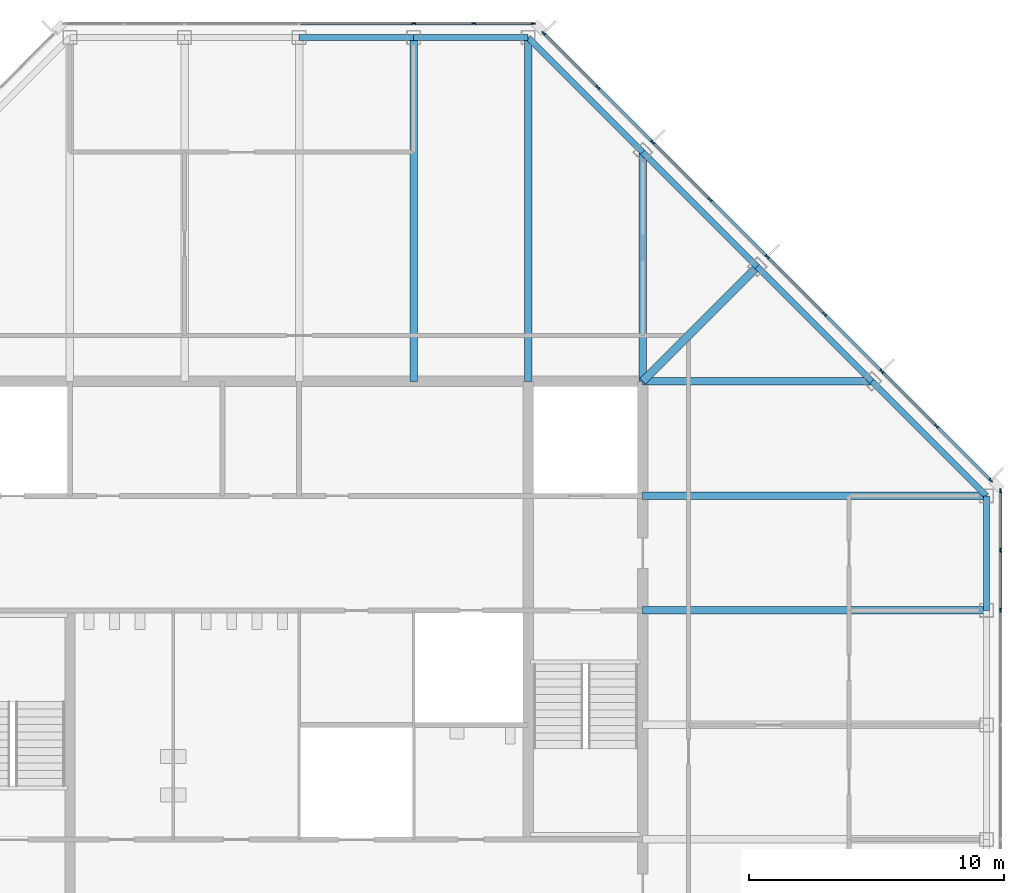
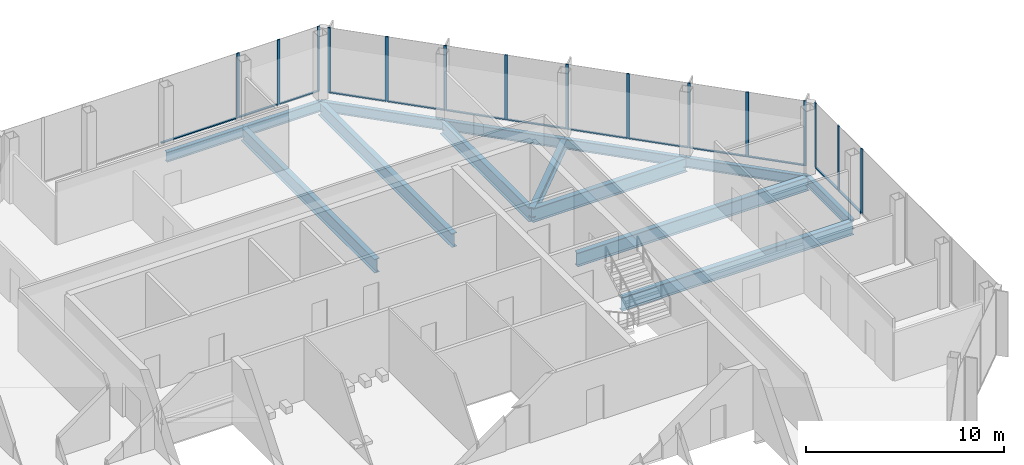
# One storey, part 7 of 14: 28 members, 14 beams, 3 elements without a shape of their own.
"""IFC4 building model written with IfcOpenShell, lengths in metres."""

import ifcopenshell
import ifcopenshell.guid

model = None  # the IFC model being written
_history = None  # IfcOwnerHistory: only IFC2X3 demands one
_inside = {}  # id of a spatial element -> (the spatial element, [elements in it])
_under = {}  # id of a project, library or spatial element -> (it, [spatial elements below it])
_declared = {}  # id of a project -> (the project, [libraries it declares])
_typed = {}  # id of a type object -> (the type object, [elements of that type])
_made_of = {}  # id of a material, layer set ... -> (it, [elements and type objects made of it])


def new_model(schema):
    """Start an empty IFC model of exactly this schema.

    Asked for "IFC4X3", IfcOpenShell would pick the latest addendum, in which some entities
    have other attributes; the version numbers below select the first issue.
    IFC2X3 requires an IfcOwnerHistory on every rooted entity: one is made here for all.
    """
    global model, _history
    if schema == "IFC4X3":
        model = ifcopenshell.file(schema_version=(4, 3, 0, 0))
    else:
        model = ifcopenshell.file(schema=schema)
    _inside.clear()
    _under.clear()
    _declared.clear()
    _typed.clear()
    _made_of.clear()
    _history = None
    if model.schema == "IFC2X3":
        org = make("IfcOrganization", Name="unknown")
        user = make(
            "IfcPersonAndOrganization",
            ThePerson=make("IfcPerson", FamilyName="unknown"),
            TheOrganization=org,
        )
        app = make(
            "IfcApplication",
            ApplicationDeveloper=org,
            Version="unknown",
            ApplicationFullName="unknown",
            ApplicationIdentifier="unknown",
        )
        _history = make(
            "IfcOwnerHistory",
            OwningUser=user,
            OwningApplication=app,
            ChangeAction="ADDED",
            CreationDate=0,
        )
    return model


def make(cls, **values):
    """One entity of the class cls with the attributes given. An attribute that is None is left unset."""
    return model.create_entity(
        cls, **{name: value for name, value in values.items() if value is not None}
    )


def rooted(cls, **values):
    """An entity with a GlobalId (a new one), such as an element, a storey or a relation."""
    return make(cls, GlobalId=ifcopenshell.guid.new(), OwnerHistory=_history, **values)


def si_unit(unit_type, name, prefix=None):
    """IfcSIUnit, for example si_unit("LENGTHUNIT", "METRE", prefix="MILLI")."""
    return make("IfcSIUnit", UnitType=unit_type, Prefix=prefix, Name=name)


def assignment(units):
    """IfcUnitAssignment: the units of a project."""
    return None if units is None else make("IfcUnitAssignment", Units=units)


def point(xyz):
    """IfcCartesianPoint."""
    return None if xyz is None else make("IfcCartesianPoint", Coordinates=xyz)


def direction(xyz):
    """IfcDirection."""
    return None if xyz is None else make("IfcDirection", DirectionRatios=xyz)


def frame(location, z_axis=None, x_axis=None):
    """IfcAxis2Placement3D, a coordinate frame: its origin and axes. An axis left out is left unset."""
    return make(
        "IfcAxis2Placement3D",
        Location=point(location),
        Axis=direction(z_axis),
        RefDirection=direction(x_axis),
    )


def frame_2d(location, x_axis=None):
    """IfcAxis2Placement2D, a coordinate frame in the plane: its origin and x axis."""
    return make(
        "IfcAxis2Placement2D", Location=point(location), RefDirection=direction(x_axis)
    )


def origin():
    """The frame at (0, 0, 0) with its axes left unset."""
    return frame((0.0, 0.0, 0.0))


def origin_2d():
    """The frame at (0, 0) in the plane with its x axis left unset."""
    return frame_2d((0.0, 0.0))


def place(relative_to, where):
    """IfcLocalPlacement: puts the frame where relative to a parent placement (None: the world)."""
    return make(
        "IfcLocalPlacement", PlacementRelTo=relative_to, RelativePlacement=where
    )


def context(
    kind, dimensions, precision=None, world=None, true_north=None, identifier=None
):
    """IfcGeometricRepresentationContext, for example the 3D "Model" context."""
    return make(
        "IfcGeometricRepresentationContext",
        ContextIdentifier=identifier,
        ContextType=kind,
        CoordinateSpaceDimension=dimensions,
        Precision=precision,
        WorldCoordinateSystem=world,
        TrueNorth=true_north,
    )


def subcontext(parent, identifier, kind, view, scale=None):
    """IfcGeometricRepresentationSubContext, for example "Body" below "Model"."""
    return make(
        "IfcGeometricRepresentationSubContext",
        ContextIdentifier=identifier,
        ContextType=kind,
        ParentContext=parent,
        TargetScale=scale,
        TargetView=view,
    )


def project(units=None, contexts=None):
    """IfcProject with its units and contexts."""
    return rooted(
        "IfcProject",
        Name="project",
        RepresentationContexts=contexts,
        UnitsInContext=assignment(units),
    )


def spatial(cls, under=None, at=None, **own):
    """A site, building, storey or space (cls), placed at a placement, below another one or the project."""
    s = rooted(cls, ObjectPlacement=at, **own)
    if under is not None:
        _under.setdefault(under.id(), (under, []))[1].append(s)
    return s


def profile(cls, at=None, kind="AREA", **sizes):
    """A parametric profile (cls). Its sizes go by their IFC names, for example OverallWidth=200.0."""
    return make(cls, ProfileType=kind, Position=at, **sizes)


def rectangle(**sizes):
    """IfcRectangleProfileDef."""
    return profile("IfcRectangleProfileDef", **sizes)


def i_section(**sizes):
    """IfcIShapeProfileDef."""
    return profile("IfcIShapeProfileDef", **sizes)


def extrude(swept, where, along, depth):
    """IfcExtrudedAreaSolid: the profile swept, set in the frame where, extruded along a direction by depth."""
    return make(
        "IfcExtrudedAreaSolid",
        SweptArea=swept,
        Position=where,
        ExtrudedDirection=direction(along),
        Depth=depth,
    )


def shape(context_of_items, identifier, shape_type, items):
    """IfcShapeRepresentation: the items that make up one representation, for example the "Body"."""
    return make(
        "IfcShapeRepresentation",
        ContextOfItems=context_of_items,
        RepresentationIdentifier=identifier,
        RepresentationType=shape_type,
        Items=items,
    )


def material(Name=None, Category=None):
    """IfcMaterial."""
    return make("IfcMaterial", Name=Name, Category=Category)


def material_profile(
    of_material, cross_section, Name=None, Category=None, Priority=None
):
    """IfcMaterialProfile: a cross section and its material."""
    return make(
        "IfcMaterialProfile",
        Name=Name,
        Material=of_material,
        Profile=cross_section,
        Priority=Priority,
        Category=Category,
    )


def profile_set(profiles, Name=None, composite=None):
    """IfcMaterialProfileSet."""
    return make(
        "IfcMaterialProfileSet",
        Name=Name,
        MaterialProfiles=profiles,
        CompositeProfile=composite,
    )


def made_of(thing, what):
    """Note that an element or type object is made of a material, layer set ...; save() writes the relation."""
    if what is not None:
        _made_of.setdefault(what.id(), (what, []))[1].append(thing)
    return thing


def type_object(cls, material=None, **own):
    """A type object (cls), such as IfcWallType, which elements share."""
    return made_of(rooted(cls, **own), material)


def element(
    cls,
    number,
    at=None,
    inside=None,
    cuts=None,
    type_object=None,
    material=None,
    context=None,
    identifier="Body",
    shape_type=None,
    held_by="IfcProductDefinitionShape",
    body=None,
    shapes=None,
    **own,
):
    """One element of the class cls, such as IfcWall. Its Tag is "e" and its number.

    at: its placement. inside: the storey or other place that contains it. cuts: it is an
    opening in that element (IfcRelVoidsElement). A single representation is given by context,
    identifier, shape_type and body (its items); several are given by shapes. held_by: the class
    of the entity that holds the representations. save() writes the other relations.
    """
    e = rooted(cls, Tag="e%d" % number, ObjectPlacement=at, **own)
    if body is not None:
        shapes = [shape(context, identifier, shape_type, body)]
    if shapes is not None:
        e.Representation = make(held_by, Representations=shapes)
    if inside is not None:
        _inside.setdefault(inside.id(), (inside, []))[1].append(e)
    if cuts is not None:
        rooted(
            "IfcRelVoidsElement", RelatingBuildingElement=cuts, RelatedOpeningElement=e
        )
    if type_object is not None:
        _typed.setdefault(type_object.id(), (type_object, []))[1].append(e)
    return made_of(e, material)


def aggregate(whole, parts):
    """IfcRelAggregates: a whole, such as a stair, and the parts it consists of."""
    return rooted("IfcRelAggregates", RelatingObject=whole, RelatedObjects=parts)


def save(model, path):
    """Write the relations noted so far, then the file.

    IfcRelAggregates (storeys below a building ...), IfcRelContainedInSpatialStructure (elements
    in a storey), IfcRelDefinesByType, IfcRelAssociatesMaterial and IfcRelDeclares: one each for
    every whole, place, type object, material and project.
    """
    for whole, parts in _under.values():
        aggregate(whole, parts)
    for where, things in _inside.values():
        rooted(
            "IfcRelContainedInSpatialStructure",
            RelatedElements=things,
            RelatingStructure=where,
        )
    for kind, things in _typed.values():
        rooted("IfcRelDefinesByType", RelatedObjects=things, RelatingType=kind)
    for what, things in _made_of.values():
        rooted("IfcRelAssociatesMaterial", RelatedObjects=things, RelatingMaterial=what)
    for by, libraries in _declared.values():
        rooted("IfcRelDeclares", RelatingContext=by, RelatedDefinitions=libraries)
    model.write(path)


model = new_model("IFC4")

# Units and contexts
model_context = context("Model", 3, precision=1e-05, world=origin(), true_north=direction((0.0, 1.0)))
body_context = subcontext(model_context, "Body", "Model", "MODEL_VIEW")
ifc_project = project(units=[si_unit("LENGTHUNIT", "METRE"), si_unit("AREAUNIT", "SQUARE_METRE"), si_unit("VOLUMEUNIT", "CUBIC_METRE"), si_unit("PLANEANGLEUNIT", "RADIAN"), si_unit("MASSUNIT", "GRAM", prefix="KILO")], contexts=[model_context])

# Site, building, storey
site_placement = place(None, origin())
site = spatial("IfcSite", under=ifc_project, at=site_placement, CompositionType="ELEMENT")
building_placement = place(site_placement, origin())
building = spatial("IfcBuilding", under=site, at=building_placement, Name="Corais Broadcast Tower", CompositionType="ELEMENT")
storey_placement = place(building_placement, frame((0.0, 0.0, 294.60009765625)))
storey = spatial("IfcBuildingStorey", under=building, at=storey_placement, Name="L69", CompositionType="ELEMENT", Elevation=294.60009765625)

# Beams
ifc_material_1 = material(Name="Steel ASTM A572 Grade 50", Category="steel")
ifc_material_profile_1 = material_profile(ifc_material_1, i_section(OverallWidth=0.323974609375, OverallDepth=0.611083984375, WebThickness=0.0126953125, FlangeThickness=0.01904296875, at=origin_2d()), Name="W610x155")
ifc_profile_set_1 = profile_set([ifc_material_profile_1], Name="Steel ASTM A572 Grade 50")
beam_type_1 = type_object("IfcBeamType", Name="Corner diagonal W610x155", PredefinedType="BEAM", material=ifc_profile_set_1)
beam_1_placement = place(storey_placement, frame((45.0, 45.0, -0.465576171875), z_axis=(-0.707106781187, -0.707106781187, 0.0), x_axis=(0.707106781187, -0.707106781187, 0.0)))
element("IfcBeam", 1, at=beam_1_placement, inside=storey, type_object=beam_type_1, Name="B6 L/13 to K/12", PredefinedType="BEAM", context=body_context, shape_type="SweptSolid", body=[
    extrude(i_section(OverallWidth=0.323974609375, OverallDepth=0.611083984375, WebThickness=0.0126953125, FlangeThickness=0.01904296875, at=origin_2d()), origin(), (0.0, 0.0, 1.0), 6.364013671875),
])
ifc_material_2 = material(Name="Steel ASTM A572 Grade 50", Category="steel")
ifc_material_profile_2 = material_profile(ifc_material_2, i_section(OverallWidth=0.2939453125, OverallDepth=0.85107421875, WebThickness=0.01611328125, FlangeThickness=0.02685546875, at=origin_2d()), Name="W840x226")
ifc_profile_set_2 = profile_set([ifc_material_profile_2], Name="Steel ASTM A572 Grade 50")
beam_type_2 = type_object("IfcBeamType", Name="Floor beam W840x226", PredefinedType="BEAM", material=ifc_profile_set_2)
for number, where, z_axis, x_axis, name in (
    (2, (31.5, 54.0, -0.585693359375), (0.0, -1.0, 0.0), (1.0, 0.0, 0.0), "B1 N/10 to K/10"),
    (3, (36.0, 54.0, -0.585693359375), (0.0, -1.0, 0.0), (1.0, 0.0, 0.0), "B1 N/11 to K/11"),
):
    element("IfcBeam", number, at=place(storey_placement, frame(where, z_axis=z_axis, x_axis=x_axis)), inside=storey, type_object=beam_type_2, Name=name, PredefinedType="BEAM", context=body_context, shape_type="SweptSolid", body=[
        extrude(i_section(OverallWidth=0.2939453125, OverallDepth=0.85107421875, WebThickness=0.01611328125, FlangeThickness=0.02685546875, at=origin_2d()), origin(), (0.0, 0.0, 1.0), 13.5),
    ])
for number, where, z_axis, x_axis, name in (
    (4, (40.5, 49.5, -0.585693359375), (0.0, -1.0, 0.0), (1.0, 0.0, 0.0), "B1 M/12 to K/12"),
    (5, (49.5, 40.5, -0.585693359375), (-1.0, 0.0, 0.0), (0.0, -1.0, 0.0), "B1 K/14 to K/12"),
):
    element("IfcBeam", number, at=place(storey_placement, frame(where, z_axis=z_axis, x_axis=x_axis)), inside=storey, type_object=beam_type_2, Name=name, PredefinedType="BEAM", context=body_context, shape_type="SweptSolid", body=[
        extrude(i_section(OverallWidth=0.2939453125, OverallDepth=0.85107421875, WebThickness=0.01611328125, FlangeThickness=0.02685546875, at=origin_2d()), origin(), (0.0, 0.0, 1.0), 9.0),
    ])
for number, where, z_axis, x_axis, name in (
    (6, (54.0, 31.5, -0.585693359375), (-1.0, 0.0, 0.0), (0.0, -1.0, 0.0), "B1 H/15 to H/12"),
    (7, (54.0, 36.0, -0.585693359375), (-1.0, 0.0, 0.0), (0.0, -1.0, 0.0), "B1 J/15 to J/12"),
):
    element("IfcBeam", number, at=place(storey_placement, frame(where, z_axis=z_axis, x_axis=x_axis)), inside=storey, type_object=beam_type_2, Name=name, PredefinedType="BEAM", context=body_context, shape_type="SweptSolid", body=[
        extrude(i_section(OverallWidth=0.2939453125, OverallDepth=0.85107421875, WebThickness=0.01611328125, FlangeThickness=0.02685546875, at=origin_2d()), origin(), (0.0, 0.0, 1.0), 13.5),
    ])

# Curtain wall, members
ifc_material_3 = material(Name="Aluminium and glass", Category="aluminium")
curtain_wall_type = type_object("IfcCurtainWallType", Name="Unitised fritted curtain wall CW3", PredefinedType="NOTDEFINED", material=ifc_material_3)
curtain_wall_1_placement = place(storey_placement, origin())
curtain_wall_1 = element("IfcCurtainWall", 8, at=curtain_wall_1_placement, inside=storey, type_object=curtain_wall_type, Name="CW3 curtain wall L69 4", PredefinedType="NOTDEFINED")
ifc_material_4 = material(Name="Aluminium 6063-T6", Category="aluminium")
ifc_material_profile_3 = material_profile(ifc_material_4, rectangle(XDim=0.06494140625, YDim=0.159912109375, at=origin_2d()), Name="Mullion CW3 65x160")
ifc_profile_set_3 = profile_set([ifc_material_profile_3], Name="Aluminium 6063-T6")
member_type_1 = type_object("IfcMemberType", Name="Mullion CW3 65x160", PredefinedType="MULLION", material=ifc_profile_set_3)
member_1_placement = place(storey_placement, frame((31.5, 54.550048828125, 0.0), z_axis=(0.0, 0.0, 1.0), x_axis=(0.0, 1.0, 0.0)))
member_1 = element("IfcMember", 9, at=member_1_placement, type_object=member_type_1, Name="CW3 mullion 5", PredefinedType="MULLION", context=body_context, shape_type="SweptSolid", body=[
    extrude(rectangle(XDim=0.06494140625, YDim=0.159912109375, at=origin_2d()), origin(), (0.0, 0.0, 1.0), 4.0),
])
member_2_placement = place(storey_placement, frame((33.864013671875, 54.550048828125, 0.0), z_axis=(0.0, 0.0, 1.0), x_axis=(0.0, 1.0, 0.0)))
member_2 = element("IfcMember", 10, at=member_2_placement, type_object=member_type_1, Name="CW3 mullion 6", PredefinedType="MULLION", context=body_context, shape_type="SweptSolid", body=[
    extrude(rectangle(XDim=0.06494140625, YDim=0.159912109375, at=origin_2d()), origin(), (0.0, 0.0, 1.0), 4.0),
])
member_3_placement = place(storey_placement, frame((36.1953125, 54.550048828125, 0.0), z_axis=(0.0, 0.0, 1.0), x_axis=(0.0, 1.0, 0.0)))
member_3 = element("IfcMember", 11, at=member_3_placement, type_object=member_type_1, Name="CW3 mullion 7", PredefinedType="MULLION", context=body_context, shape_type="SweptSolid", body=[
    extrude(rectangle(XDim=0.06494140625, YDim=0.159912109375, at=origin_2d()), origin(), (0.0, 0.0, 1.0), 4.0),
])

curtain_wall_2_placement = place(storey_placement, origin())
curtain_wall_2 = element("IfcCurtainWall", 12, at=curtain_wall_2_placement, inside=storey, type_object=curtain_wall_type, Name="CW3 curtain wall L69 5", PredefinedType="NOTDEFINED")
member_4_placement = place(storey_placement, frame((36.6044921875, 54.17333984375, 0.0), z_axis=(0.0, 0.0, 1.0), x_axis=(0.707106781187, 0.707106781187, 0.0)))
member_4 = element("IfcMember", 13, at=member_4_placement, type_object=member_type_1, Name="CW3 mullion 1", PredefinedType="MULLION", context=body_context, shape_type="SweptSolid", body=[
    extrude(rectangle(XDim=0.06494140625, YDim=0.159912109375, at=origin_2d()), origin(), (0.0, 0.0, 1.0), 4.0),
])
member_5_placement = place(storey_placement, frame((38.735107421875, 52.042724609375, 0.0), z_axis=(0.0, 0.0, 1.0), x_axis=(0.707106781187, 0.707106781187, 0.0)))
member_5 = element("IfcMember", 14, at=member_5_placement, type_object=member_type_1, Name="CW3 mullion 2", PredefinedType="MULLION", context=body_context, shape_type="SweptSolid", body=[
    extrude(rectangle(XDim=0.06494140625, YDim=0.159912109375, at=origin_2d()), origin(), (0.0, 0.0, 1.0), 4.0),
])
member_6_placement = place(storey_placement, frame((40.888916015625, 49.888916015625, 0.0), z_axis=(0.0, 0.0, 1.0), x_axis=(0.707106781187, 0.707106781187, 0.0)))
member_6 = element("IfcMember", 15, at=member_6_placement, type_object=member_type_1, Name="CW3 mullion 3", PredefinedType="MULLION", context=body_context, shape_type="SweptSolid", body=[
    extrude(rectangle(XDim=0.06494140625, YDim=0.159912109375, at=origin_2d()), origin(), (0.0, 0.0, 1.0), 4.0),
])
member_7_placement = place(storey_placement, frame((43.138916015625, 47.638916015625, 0.0), z_axis=(0.0, 0.0, 1.0), x_axis=(0.707106781187, 0.707106781187, 0.0)))
member_7 = element("IfcMember", 16, at=member_7_placement, type_object=member_type_1, Name="CW3 mullion 4", PredefinedType="MULLION", context=body_context, shape_type="SweptSolid", body=[
    extrude(rectangle(XDim=0.06494140625, YDim=0.159912109375, at=origin_2d()), origin(), (0.0, 0.0, 1.0), 4.0),
])
member_8_placement = place(storey_placement, frame((45.388916015625, 45.388916015625, 0.0), z_axis=(0.0, 0.0, 1.0), x_axis=(0.707106781187, 0.707106781187, 0.0)))
member_8 = element("IfcMember", 17, at=member_8_placement, type_object=member_type_1, Name="CW3 mullion 5", PredefinedType="MULLION", context=body_context, shape_type="SweptSolid", body=[
    extrude(rectangle(XDim=0.06494140625, YDim=0.159912109375, at=origin_2d()), origin(), (0.0, 0.0, 1.0), 4.0),
])
member_9_placement = place(storey_placement, frame((47.638916015625, 43.138916015625, 0.0), z_axis=(0.0, 0.0, 1.0), x_axis=(0.707106781187, 0.707106781187, 0.0)))
member_9 = element("IfcMember", 18, at=member_9_placement, type_object=member_type_1, Name="CW3 mullion 6", PredefinedType="MULLION", context=body_context, shape_type="SweptSolid", body=[
    extrude(rectangle(XDim=0.06494140625, YDim=0.159912109375, at=origin_2d()), origin(), (0.0, 0.0, 1.0), 4.0),
])
member_10_placement = place(storey_placement, frame((49.888916015625, 40.888916015625, 0.0), z_axis=(0.0, 0.0, 1.0), x_axis=(0.707106781187, 0.707106781187, 0.0)))
member_10 = element("IfcMember", 19, at=member_10_placement, type_object=member_type_1, Name="CW3 mullion 7", PredefinedType="MULLION", context=body_context, shape_type="SweptSolid", body=[
    extrude(rectangle(XDim=0.06494140625, YDim=0.159912109375, at=origin_2d()), origin(), (0.0, 0.0, 1.0), 4.0),
])
member_11_placement = place(storey_placement, frame((52.042724609375, 38.735107421875, 0.0), z_axis=(0.0, 0.0, 1.0), x_axis=(0.707106781187, 0.707106781187, 0.0)))
member_11 = element("IfcMember", 20, at=member_11_placement, type_object=member_type_1, Name="CW3 mullion 8", PredefinedType="MULLION", context=body_context, shape_type="SweptSolid", body=[
    extrude(rectangle(XDim=0.06494140625, YDim=0.159912109375, at=origin_2d()), origin(), (0.0, 0.0, 1.0), 4.0),
])
member_12_placement = place(storey_placement, frame((54.17333984375, 36.6044921875, 0.0), z_axis=(0.0, 0.0, 1.0), x_axis=(0.707106781187, 0.707106781187, 0.0)))
member_12 = element("IfcMember", 21, at=member_12_placement, type_object=member_type_1, Name="CW3 mullion 9", PredefinedType="MULLION", context=body_context, shape_type="SweptSolid", body=[
    extrude(rectangle(XDim=0.06494140625, YDim=0.159912109375, at=origin_2d()), origin(), (0.0, 0.0, 1.0), 4.0),
])

curtain_wall_3_placement = place(storey_placement, origin())
curtain_wall_3 = element("IfcCurtainWall", 22, at=curtain_wall_3_placement, inside=storey, type_object=curtain_wall_type, Name="CW3 curtain wall L69 6", PredefinedType="NOTDEFINED")
member_13_placement = place(storey_placement, frame((54.550048828125, 36.1953125, 0.0), z_axis=(0.0, 0.0, 1.0), x_axis=(1.0, 0.0, 0.0)))
member_13 = element("IfcMember", 23, at=member_13_placement, type_object=member_type_1, Name="CW3 mullion 1", PredefinedType="MULLION", context=body_context, shape_type="SweptSolid", body=[
    extrude(rectangle(XDim=0.06494140625, YDim=0.159912109375, at=origin_2d()), origin(), (0.0, 0.0, 1.0), 4.0),
])
member_14_placement = place(storey_placement, frame((54.550048828125, 33.864013671875, 0.0), z_axis=(0.0, 0.0, 1.0), x_axis=(1.0, 0.0, 0.0)))
member_14 = element("IfcMember", 24, at=member_14_placement, type_object=member_type_1, Name="CW3 mullion 2", PredefinedType="MULLION", context=body_context, shape_type="SweptSolid", body=[
    extrude(rectangle(XDim=0.06494140625, YDim=0.159912109375, at=origin_2d()), origin(), (0.0, 0.0, 1.0), 4.0),
])
member_15_placement = place(storey_placement, frame((54.550048828125, 31.5, 0.0), z_axis=(0.0, 0.0, 1.0), x_axis=(1.0, 0.0, 0.0)))
member_15 = element("IfcMember", 25, at=member_15_placement, type_object=member_type_1, Name="CW3 mullion 3", PredefinedType="MULLION", context=body_context, shape_type="SweptSolid", body=[
    extrude(rectangle(XDim=0.06494140625, YDim=0.159912109375, at=origin_2d()), origin(), (0.0, 0.0, 1.0), 4.0),
])

# Beams
ifc_material_5 = material(Name="Steel ASTM A572 Grade 50", Category="steel")
ifc_material_profile_4 = material_profile(ifc_material_5, i_section(OverallWidth=0.22998046875, OverallDepth=0.616943359375, WebThickness=0.01318359375, FlangeThickness=0.022216796875, at=origin_2d()), Name="W610x140")
ifc_profile_set_4 = profile_set([ifc_material_profile_4], Name="Steel ASTM A572 Grade 50")
beam_type_3 = type_object("IfcBeamType", Name="Spandrel W610x140", PredefinedType="BEAM", material=ifc_profile_set_4)
for number, where, z_axis, x_axis, name in (
    (26, (31.5, 54.0, -0.468505859375), (-1.0, 0.0, 0.0), (0.0, -1.0, 0.0), "SB3 N/10 to N/9"),
    (27, (36.0, 54.0, -0.468505859375), (-1.0, 0.0, 0.0), (0.0, -1.0, 0.0), "SB3 N/11 to N/10"),
):
    element("IfcBeam", number, at=place(storey_placement, frame(where, z_axis=z_axis, x_axis=x_axis)), inside=storey, type_object=beam_type_3, Name=name, PredefinedType="BEAM", context=body_context, shape_type="SweptSolid", body=[
        extrude(i_section(OverallWidth=0.22998046875, OverallDepth=0.616943359375, WebThickness=0.01318359375, FlangeThickness=0.022216796875, at=origin_2d()), origin(), (0.0, 0.0, 1.0), 4.5),
    ])
for number, where, z_axis, x_axis, name in (
    (28, (40.5, 49.5, -0.468505859375), (-0.707106781187, 0.707106781187, 0.0), (-0.707106781187, -0.707106781187, 0.0), "SB3 M/12 to N/11"),
    (29, (45.0, 45.0, -0.468505859375), (-0.707106781187, 0.707106781187, 0.0), (-0.707106781187, -0.707106781187, 0.0), "SB3 L/13 to M/12"),
    (30, (49.5, 40.5, -0.468505859375), (-0.707106781187, 0.707106781187, 0.0), (-0.707106781187, -0.707106781187, 0.0), "SB3 K/14 to L/13"),
):
    element("IfcBeam", number, at=place(storey_placement, frame(where, z_axis=z_axis, x_axis=x_axis)), inside=storey, type_object=beam_type_3, Name=name, PredefinedType="BEAM", context=body_context, shape_type="SweptSolid", body=[
        extrude(i_section(OverallWidth=0.22998046875, OverallDepth=0.616943359375, WebThickness=0.01318359375, FlangeThickness=0.022216796875, at=origin_2d()), origin(), (0.0, 0.0, 1.0), 6.364013671875),
    ])
beam_2_placement = place(storey_placement, frame((54.0, 31.5, -0.468505859375), z_axis=(0.0, 1.0, 0.0), x_axis=(-1.0, 0.0, 0.0)))
element("IfcBeam", 31, at=beam_2_placement, inside=storey, type_object=beam_type_3, Name="SB3 H/15 to J/15", PredefinedType="BEAM", context=body_context, shape_type="SweptSolid", body=[
    extrude(i_section(OverallWidth=0.22998046875, OverallDepth=0.616943359375, WebThickness=0.01318359375, FlangeThickness=0.022216796875, at=origin_2d()), origin(), (0.0, 0.0, 1.0), 4.5),
])
beam_3_placement = place(storey_placement, frame((54.0, 36.0, -0.468505859375), z_axis=(-0.707106781187, 0.707106781187, 0.0), x_axis=(-0.707106781187, -0.707106781187, 0.0)))
element("IfcBeam", 32, at=beam_3_placement, inside=storey, type_object=beam_type_3, Name="SB3 J/15 to K/14", PredefinedType="BEAM", context=body_context, shape_type="SweptSolid", body=[
    extrude(i_section(OverallWidth=0.22998046875, OverallDepth=0.616943359375, WebThickness=0.01318359375, FlangeThickness=0.022216796875, at=origin_2d()), origin(), (0.0, 0.0, 1.0), 6.364013671875),
])

# Member
ifc_material_6 = material(Name="Aluminium 6063-T6", Category="aluminium")
ifc_material_profile_5 = material_profile(ifc_material_6, rectangle(XDim=0.1201171875, YDim=0.06494140625, at=origin_2d()), Name="Transom CW3 65x120")
ifc_profile_set_5 = profile_set([ifc_material_profile_5], Name="Aluminium 6063-T6")
member_type_2 = type_object("IfcMemberType", Name="Transom CW3 65x120", PredefinedType="USERDEFINED", material=ifc_profile_set_5)
member_16_placement = place(storey_placement, frame((27.032470703125, 54.550048828125, 0.032470703125), z_axis=(1.0, 0.0, 0.0), x_axis=(0.0, 1.0, 0.0)))
member_16 = element("IfcMember", 33, at=member_16_placement, type_object=member_type_2, Name="CW3 transom 4.1", ObjectType="TRANSOM", PredefinedType="USERDEFINED", context=body_context, shape_type="SweptSolid", body=[
    extrude(rectangle(XDim=0.1201171875, YDim=0.06494140625, at=origin_2d()), origin(), (0.0, 0.0, 1.0), 4.43505859375),
])

member_17_placement = place(storey_placement, frame((31.532470703125, 54.550048828125, 0.032470703125), z_axis=(1.0, 0.0, 0.0), x_axis=(0.0, 1.0, 0.0)))
member_17 = element("IfcMember", 34, at=member_17_placement, type_object=member_type_2, Name="CW3 transom 5.1", ObjectType="TRANSOM", PredefinedType="USERDEFINED", context=body_context, shape_type="SweptSolid", body=[
    extrude(rectangle(XDim=0.1201171875, YDim=0.06494140625, at=origin_2d()), origin(), (0.0, 0.0, 1.0), 2.298828125),
])

member_18_placement = place(storey_placement, frame((33.896484375, 54.550048828125, 0.032470703125), z_axis=(1.0, 0.0, 0.0), x_axis=(0.0, 1.0, 0.0)))
member_18 = element("IfcMember", 35, at=member_18_placement, type_object=member_type_2, Name="CW3 transom 6.1", ObjectType="TRANSOM", PredefinedType="USERDEFINED", context=body_context, shape_type="SweptSolid", body=[
    extrude(rectangle(XDim=0.1201171875, YDim=0.06494140625, at=origin_2d()), origin(), (0.0, 0.0, 1.0), 2.266357421875),
])

aggregate(curtain_wall_1, [member_1, member_2, member_3, member_16, member_17, member_18])

member_19_placement = place(storey_placement, frame((36.62744140625, 54.150390625, 0.032470703125), z_axis=(0.707106781187, -0.707106781187, 0.0), x_axis=(0.707106781187, 0.707106781187, 0.0)))
member_19 = element("IfcMember", 36, at=member_19_placement, type_object=member_type_2, Name="CW3 transom 1.1", ObjectType="TRANSOM", PredefinedType="USERDEFINED", context=body_context, shape_type="SweptSolid", body=[
    extrude(rectangle(XDim=0.1201171875, YDim=0.06494140625, at=origin_2d()), origin(), (0.0, 0.0, 1.0), 2.9482421875),
])

member_20_placement = place(storey_placement, frame((38.758056640625, 52.019775390625, 0.032470703125), z_axis=(0.707106781187, -0.707106781187, 0.0), x_axis=(0.707106781187, 0.707106781187, 0.0)))
member_20 = element("IfcMember", 37, at=member_20_placement, type_object=member_type_2, Name="CW3 transom 2.1", ObjectType="TRANSOM", PredefinedType="USERDEFINED", context=body_context, shape_type="SweptSolid", body=[
    extrude(rectangle(XDim=0.1201171875, YDim=0.06494140625, at=origin_2d()), origin(), (0.0, 0.0, 1.0), 2.98095703125),
])

member_21_placement = place(storey_placement, frame((40.911865234375, 49.865966796875, 0.032470703125), z_axis=(0.707106781187, -0.707106781187, 0.0), x_axis=(0.707106781187, 0.707106781187, 0.0)))
member_21 = element("IfcMember", 38, at=member_21_placement, type_object=member_type_2, Name="CW3 transom 3.1", ObjectType="TRANSOM", PredefinedType="USERDEFINED", context=body_context, shape_type="SweptSolid", body=[
    extrude(rectangle(XDim=0.1201171875, YDim=0.06494140625, at=origin_2d()), origin(), (0.0, 0.0, 1.0), 3.1171875),
])

member_22_placement = place(storey_placement, frame((43.161865234375, 47.615966796875, 0.032470703125), z_axis=(0.707106781187, -0.707106781187, 0.0), x_axis=(0.707106781187, 0.707106781187, 0.0)))
member_22 = element("IfcMember", 39, at=member_22_placement, type_object=member_type_2, Name="CW3 transom 4.1", ObjectType="TRANSOM", PredefinedType="USERDEFINED", context=body_context, shape_type="SweptSolid", body=[
    extrude(rectangle(XDim=0.1201171875, YDim=0.06494140625, at=origin_2d()), origin(), (0.0, 0.0, 1.0), 3.1171875),
])

member_23_placement = place(storey_placement, frame((45.411865234375, 45.365966796875, 0.032470703125), z_axis=(0.707106781187, -0.707106781187, 0.0), x_axis=(0.707106781187, 0.707106781187, 0.0)))
member_23 = element("IfcMember", 40, at=member_23_placement, type_object=member_type_2, Name="CW3 transom 5.1", ObjectType="TRANSOM", PredefinedType="USERDEFINED", context=body_context, shape_type="SweptSolid", body=[
    extrude(rectangle(XDim=0.1201171875, YDim=0.06494140625, at=origin_2d()), origin(), (0.0, 0.0, 1.0), 3.1171875),
])

member_24_placement = place(storey_placement, frame((47.661865234375, 43.115966796875, 0.032470703125), z_axis=(0.707106781187, -0.707106781187, 0.0), x_axis=(0.707106781187, 0.707106781187, 0.0)))
member_24 = element("IfcMember", 41, at=member_24_placement, type_object=member_type_2, Name="CW3 transom 6.1", ObjectType="TRANSOM", PredefinedType="USERDEFINED", context=body_context, shape_type="SweptSolid", body=[
    extrude(rectangle(XDim=0.1201171875, YDim=0.06494140625, at=origin_2d()), origin(), (0.0, 0.0, 1.0), 3.1171875),
])

member_25_placement = place(storey_placement, frame((49.911865234375, 40.865966796875, 0.032470703125), z_axis=(0.707065828661, -0.70714773134, 0.0), x_axis=(0.70714773134, 0.707065828661, 0.0)))
member_25 = element("IfcMember", 42, at=member_25_placement, type_object=member_type_2, Name="CW3 transom 7.1", ObjectType="TRANSOM", PredefinedType="USERDEFINED", context=body_context, shape_type="SweptSolid", body=[
    extrude(rectangle(XDim=0.1201171875, YDim=0.06494140625, at=origin_2d()), origin(), (0.0, 0.0, 1.0), 2.98095703125),
])

member_26_placement = place(storey_placement, frame((52.065673828125, 38.712158203125, 0.032470703125), z_axis=(0.707106781187, -0.707106781187, 0.0), x_axis=(0.707106781187, 0.707106781187, 0.0)))
member_26 = element("IfcMember", 43, at=member_26_placement, type_object=member_type_2, Name="CW3 transom 8.1", ObjectType="TRANSOM", PredefinedType="USERDEFINED", context=body_context, shape_type="SweptSolid", body=[
    extrude(rectangle(XDim=0.1201171875, YDim=0.06494140625, at=origin_2d()), origin(), (0.0, 0.0, 1.0), 2.9482421875),
])

aggregate(curtain_wall_2, [member_4, member_5, member_6, member_7, member_8, member_9, member_10, member_11, member_12, member_19, member_20, member_21, member_22, member_23, member_24, member_25, member_26])

member_27_placement = place(storey_placement, frame((54.550048828125, 36.162841796875, 0.032470703125), z_axis=(0.0, -1.0, 0.0), x_axis=(1.0, 0.0, 0.0)))
member_27 = element("IfcMember", 44, at=member_27_placement, type_object=member_type_2, Name="CW3 transom 1.1", ObjectType="TRANSOM", PredefinedType="USERDEFINED", context=body_context, shape_type="SweptSolid", body=[
    extrude(rectangle(XDim=0.1201171875, YDim=0.06494140625, at=origin_2d()), origin(), (0.0, 0.0, 1.0), 2.266357421875),
])

member_28_placement = place(storey_placement, frame((54.550048828125, 33.831298828125, 0.032470703125), z_axis=(0.0, -1.0, 0.0), x_axis=(1.0, 0.0, 0.0)))
member_28 = element("IfcMember", 45, at=member_28_placement, type_object=member_type_2, Name="CW3 transom 2.1", ObjectType="TRANSOM", PredefinedType="USERDEFINED", context=body_context, shape_type="SweptSolid", body=[
    extrude(rectangle(XDim=0.1201171875, YDim=0.06494140625, at=origin_2d()), origin(), (0.0, 0.0, 1.0), 2.298828125),
])

aggregate(curtain_wall_3, [member_13, member_14, member_15, member_27, member_28])

save(model, "model.ifc")
